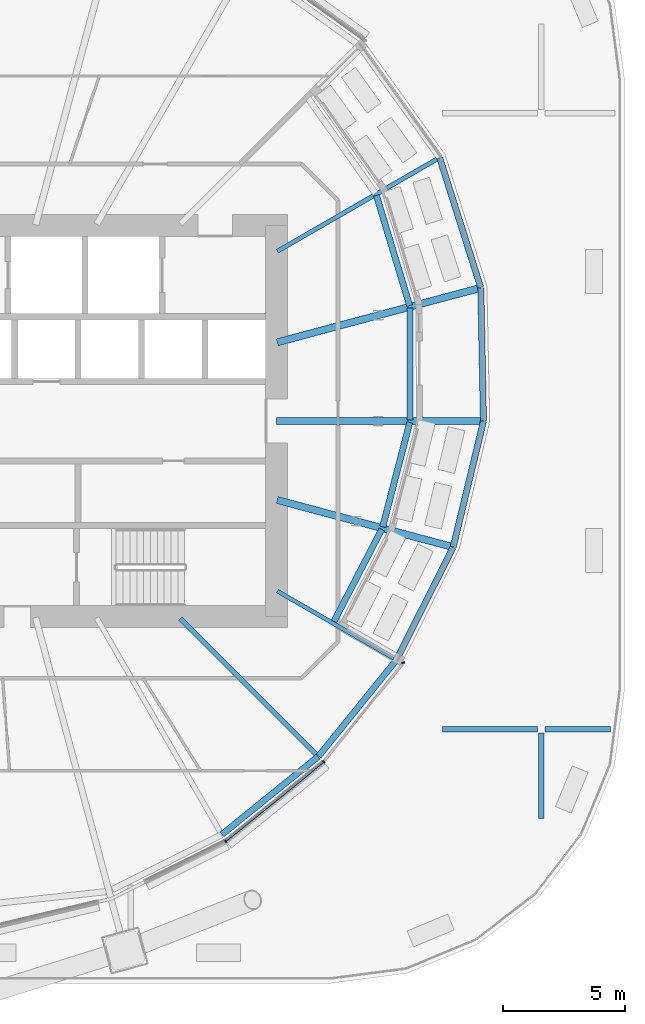
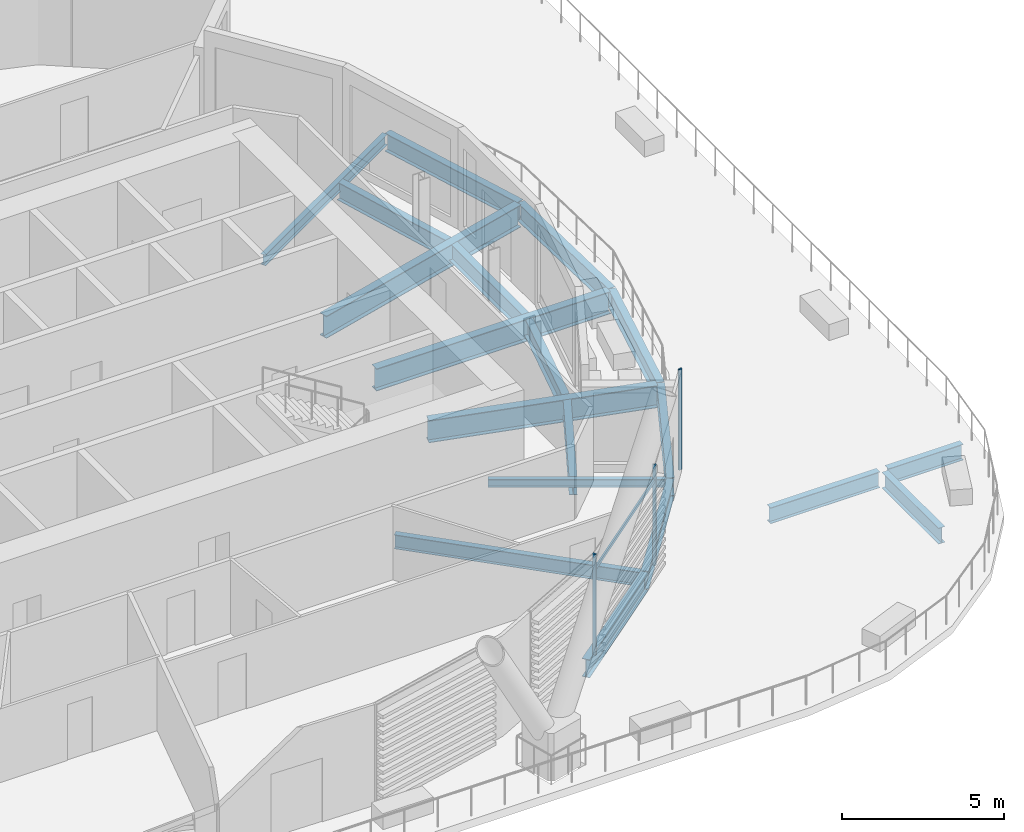
# One storey, part 17 of 47: 19 beams, 4 members, 1 element without a shape of its own.
"""IFC4 building model written with IfcOpenShell, lengths in metres."""

from ifc_helpers import new_model, si_unit, direction, frame, origin, origin_2d, place, context, subcontext, project, spatial, rectangle, i_section, extrude, material, material_profile, profile_set, type_object, element, aggregate, save


model = new_model("IFC4")

# Units and contexts
model_context = context("Model", 3, precision=1e-05, world=origin(), true_north=direction((0.0, 1.0)))
body_context = subcontext(model_context, "Body", "Model", "MODEL_VIEW")
ifc_project = project(units=[si_unit("LENGTHUNIT", "METRE"), si_unit("AREAUNIT", "SQUARE_METRE"), si_unit("VOLUMEUNIT", "CUBIC_METRE"), si_unit("PLANEANGLEUNIT", "RADIAN"), si_unit("MASSUNIT", "GRAM", prefix="KILO")], contexts=[model_context])

# Site, building, storey
site_placement = place(None, origin())
site = spatial("IfcSite", under=ifc_project, at=site_placement, CompositionType="ELEMENT")
building_placement = place(site_placement, origin())
building = spatial("IfcBuilding", under=site, at=building_placement, Name="Rimbun Link Towers", CompositionType="ELEMENT")
storey_placement = place(building_placement, frame((0.0, 0.0, 30.0)))
storey = spatial("IfcBuildingStorey", under=building, at=storey_placement, Name="L06", CompositionType="ELEMENT", Elevation=30.0)

# Curtain wall, members
ifc_material_1 = material(Name="Aluminium 6063-T6 and low-iron glass", Category="aluminium")
curtain_wall_type = type_object("IfcCurtainWallType", Name="CW1 unitised vision wall", PredefinedType="NOTDEFINED", material=ifc_material_1)
curtain_wall_placement = place(storey_placement, origin())
curtain_wall = element("IfcCurtainWall", 1, at=curtain_wall_placement, inside=storey, type_object=curtain_wall_type, Name="CW1 L06 T2", PredefinedType="NOTDEFINED")
ifc_material_2 = material(Name="Aluminium 6063-T6", Category="aluminium")
ifc_material_profile_1 = material_profile(ifc_material_2, rectangle(XDim=0.1201171875, YDim=0.06005859375, at=origin_2d()), Name="MULLION 60X120")
ifc_profile_set_1 = profile_set([ifc_material_profile_1], Name="Aluminium 6063-T6")
member_type_1 = type_object("IfcMemberType", Name="CW1 mullion 60X120", PredefinedType="MULLION", material=ifc_profile_set_1)
member_1_placement = place(storey_placement, frame((41.677001953125, -17.188232421875, 0.0), z_axis=(0.0, 0.0, 1.0), x_axis=(0.542093221733, -0.840318355715, 0.0)))
member_1 = element("IfcMember", 2, at=member_1_placement, type_object=member_type_1, Name="CW1 mullion", PredefinedType="MULLION", context=body_context, shape_type="SweptSolid", body=[
    extrude(rectangle(XDim=0.1201171875, YDim=0.06005859375, at=origin_2d()), origin(), (0.0, 0.0, 1.0), 3.800048828125),
])
member_2_placement = place(storey_placement, frame((45.68994140625, -13.93994140625, 0.0), z_axis=(0.0, 0.0, 1.0), x_axis=(0.707106781187, -0.707106781187, 0.0)))
member_2 = element("IfcMember", 3, at=member_2_placement, type_object=member_type_1, Name="CW1 mullion", PredefinedType="MULLION", context=body_context, shape_type="SweptSolid", body=[
    extrude(rectangle(XDim=0.1201171875, YDim=0.06005859375, at=origin_2d()), origin(), (0.0, 0.0, 1.0), 3.800048828125),
])
member_3_placement = place(storey_placement, frame((48.94677734375, -9.883544921875, 0.0), z_axis=(0.0, 0.0, 1.0), x_axis=(0.983234652014, 0.182344780786, 0.0)))
member_3 = element("IfcMember", 4, at=member_3_placement, type_object=member_type_1, Name="CW1 mullion", PredefinedType="MULLION", context=body_context, shape_type="SweptSolid", body=[
    extrude(rectangle(XDim=0.1201171875, YDim=0.06005859375, at=origin_2d()), origin(), (0.0, 0.0, 1.0), 3.800048828125),
])
ifc_material_3 = material(Name="Aluminium 6063-T6", Category="aluminium")
ifc_material_profile_2 = material_profile(ifc_material_3, rectangle(XDim=0.06005859375, YDim=0.1201171875, at=origin_2d()), Name="TRANSOM 60X120")
ifc_profile_set_2 = profile_set([ifc_material_profile_2], Name="Aluminium 6063-T6")
member_type_2 = type_object("IfcMemberType", Name="CW1 transom 60X120", PredefinedType="USERDEFINED", material=ifc_profile_set_2)
member_4_placement = place(storey_placement, frame((45.660888671875, -13.961669921875, 3.199951171875), z_axis=(-0.77729513126, -0.629136137032, 0.0), x_axis=(0.629136137032, -0.77729513126, 0.0)))
member_4 = element("IfcMember", 5, at=member_4_placement, type_object=member_type_2, Name="CW1 transom", ObjectType="TRANSOM", PredefinedType="USERDEFINED", context=body_context, shape_type="SweptSolid", body=[
    extrude(rectangle(XDim=0.06005859375, YDim=0.1201171875, at=origin_2d()), origin(), (0.0, 0.0, 1.0), 5.090087890625),
])
aggregate(curtain_wall, [member_1, member_2, member_3, member_4])

# Beams
ifc_material_4 = material(Name="Steel S355J2", Category="steel")
ifc_material_profile_3 = material_profile(ifc_material_4, i_section(OverallWidth=0.1650390625, OverallDepth=0.303466796875, WebThickness=0.006103515625, FlangeThickness=0.01025390625, at=origin_2d()), Name="UB 305x165x40")
ifc_profile_set_3 = profile_set([ifc_material_profile_3], Name="Steel S355J2")
beam_type_1 = type_object("IfcBeamType", Name="UB 305x165x40", PredefinedType="BEAM", material=ifc_profile_set_3)
beam_1_placement = place(storey_placement, frame((43.7919921875, -6.952392578125, -0.45166015625), z_axis=(0.86600383438, -0.500037357444, 0.0), x_axis=(0.500037357444, 0.86600383438, 0.0)))
element("IfcBeam", 6, at=beam_1_placement, inside=storey, type_object=beam_type_1, Name="Radial beam T2 L06 19", PredefinedType="BEAM", context=body_context, shape_type="SweptSolid", body=[
    extrude(i_section(OverallWidth=0.1650390625, OverallDepth=0.303466796875, WebThickness=0.006103515625, FlangeThickness=0.01025390625, at=origin_2d()), origin(), (0.0, 0.0, 1.0), 5.5029296875),
])
ifc_material_5 = material(Name="Steel S355J2", Category="steel")
ifc_material_profile_4 = material_profile(ifc_material_5, i_section(OverallWidth=0.177978515625, OverallDepth=0.406494140625, WebThickness=0.0078125, FlangeThickness=0.0126953125, at=origin_2d()), Name="UB 406x178x60")
ifc_profile_set_4 = profile_set([ifc_material_profile_4], Name="Steel S355J2")
beam_type_2 = type_object("IfcBeamType", Name="UB 406x178x60", PredefinedType="BEAM", material=ifc_profile_set_4)
beam_2_placement = place(storey_placement, frame((43.79541015625, 6.954345703125, -0.503173828125), z_axis=(0.866023167905, 0.500003872636, 0.0), x_axis=(-0.500003872636, 0.866023167905, 0.0)))
element("IfcBeam", 7, at=beam_2_placement, inside=storey, type_object=beam_type_2, Name="Radial beam T2 L06 23", PredefinedType="BEAM", context=body_context, shape_type="SweptSolid", body=[
    extrude(i_section(OverallWidth=0.177978515625, OverallDepth=0.406494140625, WebThickness=0.0078125, FlangeThickness=0.0126953125, at=origin_2d()), origin(), (0.0, 0.0, 1.0), 7.53466796875),
])
ifc_material_6 = material(Name="Steel S355J2", Category="steel")
ifc_material_profile_5 = material_profile(ifc_material_6, i_section(OverallWidth=0.209228515625, OverallDepth=0.533203125, WebThickness=0.010009765625, FlangeThickness=0.015625, at=origin_2d()), Name="UB 533x210x92")
ifc_profile_set_5 = profile_set([ifc_material_profile_5], Name="Steel S355J2")
beam_type_3 = type_object("IfcBeamType", Name="UB 533x210x92", PredefinedType="BEAM", material=ifc_profile_set_5)
beam_3_placement = place(storey_placement, frame((39.82470703125, -8.07470703125, -0.56640625), z_axis=(0.707106781187, -0.707106781187, 0.0), x_axis=(0.707106781187, 0.707106781187, 0.0)))
element("IfcBeam", 8, at=beam_3_placement, inside=storey, type_object=beam_type_3, Name="Radial beam T2 L06 18", PredefinedType="BEAM", context=body_context, shape_type="SweptSolid", body=[
    extrude(i_section(OverallWidth=0.209228515625, OverallDepth=0.533203125, WebThickness=0.010009765625, FlangeThickness=0.015625, at=origin_2d()), origin(), (0.0, 0.0, 1.0), 7.85546875),
])
ifc_material_7 = material(Name="Steel S355J2", Category="steel")
ifc_material_profile_6 = material_profile(ifc_material_7, i_section(OverallWidth=0.2275390625, OverallDepth=0.6025390625, WebThickness=0.010498046875, FlangeThickness=0.014892578125, at=origin_2d()), Name="UB 610x229x101")
ifc_profile_set_6 = profile_set([ifc_material_profile_6], Name="Steel S355J2")
beam_type_4 = type_object("IfcBeamType", Name="UB 610x229x101", PredefinedType="BEAM", material=ifc_profile_set_6)
beam_4_placement = place(storey_placement, frame((50.54638671875, -12.60009765625, -0.601318359375), z_axis=(1.0, 0.0, 0.0), x_axis=(0.0, 1.0, 0.0)))
element("IfcBeam", 9, at=beam_4_placement, inside=storey, type_object=beam_type_4, Name="Grid beam L06 -12.6", PredefinedType="BEAM", context=body_context, shape_type="SweptSolid", body=[
    extrude(i_section(OverallWidth=0.2275390625, OverallDepth=0.6025390625, WebThickness=0.010498046875, FlangeThickness=0.014892578125, at=origin_2d()), origin(), (0.0, 0.0, 1.0), 3.89990234375),
])
beam_5_placement = place(storey_placement, frame((54.753662109375, -12.60009765625, -0.601318359375), z_axis=(1.0, 0.0, 0.0), x_axis=(0.0, 1.0, 0.0)))
element("IfcBeam", 10, at=beam_5_placement, inside=storey, type_object=beam_type_4, Name="Grid beam L06 -12.6", PredefinedType="BEAM", context=body_context, shape_type="SweptSolid", body=[
    extrude(i_section(OverallWidth=0.2275390625, OverallDepth=0.6025390625, WebThickness=0.010498046875, FlangeThickness=0.014892578125, at=origin_2d()), origin(), (0.0, 0.0, 1.0), 2.666748046875),
])
beam_6_placement = place(storey_placement, frame((54.60009765625, -16.257080078125, -0.601318359375), z_axis=(0.0, 1.0, 0.0), x_axis=(-1.0, 0.0, 0.0)))
element("IfcBeam", 11, at=beam_6_placement, inside=storey, type_object=beam_type_4, Name="Grid beam L06 +54.6", PredefinedType="BEAM", context=body_context, shape_type="SweptSolid", body=[
    extrude(i_section(OverallWidth=0.2275390625, OverallDepth=0.6025390625, WebThickness=0.010498046875, FlangeThickness=0.014892578125, at=origin_2d()), origin(), (0.0, 0.0, 1.0), 3.5),
])
ifc_material_8 = material(Name="Steel S355J2", Category="steel")
ifc_material_profile_7 = material_profile(ifc_material_8, i_section(OverallWidth=0.253662109375, OverallDepth=0.68359375, WebThickness=0.012451171875, FlangeThickness=0.01904296875, at=origin_2d()), Name="UB 686x254x140")
ifc_profile_set_7 = profile_set([ifc_material_profile_7], Name="Steel S355J2")
beam_type_5 = type_object("IfcBeamType", Name="UB 686x254x140", PredefinedType="BEAM", material=ifc_profile_set_7)
for number, where, z_axis, x_axis, name in (
    (12, (41.529296875, -16.909423828125, -0.641845703125), (0.777298851758, 0.629131540345, 0.0), (-0.629131540345, 0.777298851758, 0.0), "Edge beam T2 L06 17"),
    (13, (45.47900390625, -13.708740234375, -0.641845703125), (0.629131540345, 0.777298851758, 0.0), (-0.777298851758, 0.629131540345, 0.0), "Edge beam T2 L06 18"),
):
    element("IfcBeam", number, at=place(storey_placement, frame(where, z_axis=z_axis, x_axis=x_axis)), inside=storey, type_object=beam_type_5, Name=name, PredefinedType="BEAM", context=body_context, shape_type="SweptSolid", body=[
        extrude(i_section(OverallWidth=0.253662109375, OverallDepth=0.68359375, WebThickness=0.012451171875, FlangeThickness=0.01904296875, at=origin_2d()), origin(), (0.0, 0.0, 1.0), 5.05517578125),
    ])
beam_7_placement = place(storey_placement, frame((46.098876953125, -8.212890625, -0.641845703125), z_axis=(0.460797046686, 0.887505539005, 0.0), x_axis=(-0.887505539005, 0.460797046686, 0.0)))
element("IfcBeam", 14, at=beam_7_placement, inside=storey, type_object=beam_type_5, Name="Edge beam T2 L06 19 recess", PredefinedType="BEAM", context=body_context, shape_type="SweptSolid", body=[
    extrude(i_section(OverallWidth=0.253662109375, OverallDepth=0.68359375, WebThickness=0.012451171875, FlangeThickness=0.01904296875, at=origin_2d()), origin(), (0.0, 0.0, 1.0), 4.261474609375),
])
beam_8_placement = place(storey_placement, frame((48.67529296875, -9.7548828125, -0.641845703125), z_axis=(0.449229114611, 0.893416589608, 0.0), x_axis=(-0.893416589608, 0.449229114611, 0.0)))
element("IfcBeam", 15, at=beam_8_placement, inside=storey, type_object=beam_type_5, Name="Edge beam T2 L06 19 terrace", PredefinedType="BEAM", context=body_context, shape_type="SweptSolid", body=[
    extrude(i_section(OverallWidth=0.253662109375, OverallDepth=0.68359375, WebThickness=0.012451171875, FlangeThickness=0.01904296875, at=origin_2d()), origin(), (0.0, 0.0, 1.0), 5.133056640625),
])
beam_9_placement = place(storey_placement, frame((48.104736328125, -4.32080078125, -0.641845703125), z_axis=(0.251023670146, 0.96798094869, 0.0), x_axis=(-0.96798094869, 0.251023670146, 0.0)))
element("IfcBeam", 16, at=beam_9_placement, inside=storey, type_object=beam_type_5, Name="Edge beam T2 L06 20 recess", PredefinedType="BEAM", context=body_context, shape_type="SweptSolid", body=[
    extrude(i_section(OverallWidth=0.253662109375, OverallDepth=0.68359375, WebThickness=0.012451171875, FlangeThickness=0.01904296875, at=origin_2d()), origin(), (0.0, 0.0, 1.0), 4.40771484375),
])
beam_10_placement = place(storey_placement, frame((50.991943359375, -5.1396484375, -0.641845703125), z_axis=(0.233551717136, 0.972344381083, 0.0), x_axis=(-0.972344381083, 0.233551717136, 0.0)))
element("IfcBeam", 17, at=beam_10_placement, inside=storey, type_object=beam_type_5, Name="Edge beam T2 L06 20 terrace", PredefinedType="BEAM", context=body_context, shape_type="SweptSolid", body=[
    extrude(i_section(OverallWidth=0.253662109375, OverallDepth=0.68359375, WebThickness=0.012451171875, FlangeThickness=0.01904296875, at=origin_2d()), origin(), (0.0, 0.0, 1.0), 5.2685546875),
])
beam_11_placement = place(storey_placement, frame((49.22509765625, 0.055908203125, -0.641845703125), z_axis=(-0.001227910024, 0.999999246118, 0.0), x_axis=(-0.999999246118, -0.001227910024, 0.0)))
element("IfcBeam", 18, at=beam_11_placement, inside=storey, type_object=beam_type_5, Name="Edge beam T2 L06 21 recess", PredefinedType="BEAM", context=body_context, shape_type="SweptSolid", body=[
    extrude(i_section(OverallWidth=0.253662109375, OverallDepth=0.68359375, WebThickness=0.012451171875, FlangeThickness=0.01904296875, at=origin_2d()), origin(), (0.0, 0.0, 1.0), 4.572998046875),
])
beam_12_placement = place(storey_placement, frame((52.22607421875, 0.017333984375, -0.641845703125), z_axis=(-0.019766459362, 0.999804624456, 0.0), x_axis=(-0.999804624456, -0.019766459362, 0.0)))
element("IfcBeam", 19, at=beam_12_placement, inside=storey, type_object=beam_type_5, Name="Edge beam T2 L06 21 terrace", PredefinedType="BEAM", context=body_context, shape_type="SweptSolid", body=[
    extrude(i_section(OverallWidth=0.253662109375, OverallDepth=0.68359375, WebThickness=0.012451171875, FlangeThickness=0.01904296875, at=origin_2d()), origin(), (0.0, 0.0, 1.0), 5.422119140625),
])
beam_13_placement = place(storey_placement, frame((49.20458984375, 4.73095703125, -0.641845703125), z_axis=(-0.288427851832, 0.95750163148, 0.0), x_axis=(-0.95750163148, -0.288427851832, 0.0)))
element("IfcBeam", 20, at=beam_13_placement, inside=storey, type_object=beam_type_5, Name="Edge beam T2 L06 22 recess", PredefinedType="BEAM", context=body_context, shape_type="SweptSolid", body=[
    extrude(i_section(OverallWidth=0.253662109375, OverallDepth=0.68359375, WebThickness=0.012451171875, FlangeThickness=0.01904296875, at=origin_2d()), origin(), (0.0, 0.0, 1.0), 4.70703125),
])
beam_14_placement = place(storey_placement, frame((52.112548828125, 5.47607421875, -0.641845703125), z_axis=(-0.301855711694, 0.953353622386, 0.0), x_axis=(-0.953353622386, -0.301855711694, 0.0)))
element("IfcBeam", 21, at=beam_14_placement, inside=storey, type_object=beam_type_5, Name="Edge beam T2 L06 22 terrace", PredefinedType="BEAM", context=body_context, shape_type="SweptSolid", body=[
    extrude(i_section(OverallWidth=0.253662109375, OverallDepth=0.68359375, WebThickness=0.012451171875, FlangeThickness=0.01904296875, at=origin_2d()), origin(), (0.0, 0.0, 1.0), 5.54833984375),
])
ifc_material_9 = material(Name="Steel S355J2", Category="steel")
ifc_material_profile_8 = material_profile(ifc_material_9, i_section(OverallWidth=0.29248046875, OverallDepth=0.8408203125, WebThickness=0.0126953125, FlangeThickness=0.021728515625, at=origin_2d()), Name="UB 838x292x194")
ifc_profile_set_8 = profile_set([ifc_material_profile_8], Name="Steel S355J2")
beam_type_6 = type_object("IfcBeamType", Name="UB 838x292x194", PredefinedType="BEAM", material=ifc_profile_set_8)
beam_15_placement = place(storey_placement, frame((43.788818359375, -3.225830078125, -0.72021484375), z_axis=(0.965929455353, -0.258805500873, 0.0), x_axis=(0.258805500873, 0.965929455353, 0.0)))
element("IfcBeam", 22, at=beam_15_placement, inside=storey, type_object=beam_type_6, Name="Radial beam T2 L06 20", PredefinedType="BEAM", context=body_context, shape_type="SweptSolid", body=[
    extrude(i_section(OverallWidth=0.29248046875, OverallDepth=0.8408203125, WebThickness=0.0126953125, FlangeThickness=0.021728515625, at=origin_2d()), origin(), (0.0, 0.0, 1.0), 7.324951171875),
])
beam_16_placement = place(storey_placement, frame((43.7509765625, 0.0, -0.72021484375), z_axis=(1.0, 0.0, 0.0), x_axis=(0.0, 1.0, 0.0)))
element("IfcBeam", 23, at=beam_16_placement, inside=storey, type_object=beam_type_6, Name="Radial beam T2 L06 21", PredefinedType="BEAM", context=body_context, shape_type="SweptSolid", body=[
    extrude(i_section(OverallWidth=0.29248046875, OverallDepth=0.8408203125, WebThickness=0.0126953125, FlangeThickness=0.021728515625, at=origin_2d()), origin(), (0.0, 0.0, 1.0), 8.346923828125),
])
beam_17_placement = place(storey_placement, frame((43.788818359375, 3.225830078125, -0.72021484375), z_axis=(0.965924190705, 0.258825149107, 0.0), x_axis=(-0.258825149107, 0.965924190705, 0.0)))
element("IfcBeam", 24, at=beam_17_placement, inside=storey, type_object=beam_type_6, Name="Radial beam T2 L06 22", PredefinedType="BEAM", context=body_context, shape_type="SweptSolid", body=[
    extrude(i_section(OverallWidth=0.29248046875, OverallDepth=0.8408203125, WebThickness=0.0126953125, FlangeThickness=0.021728515625, at=origin_2d()), origin(), (0.0, 0.0, 1.0), 8.4951171875),
])

save(model, "model.ifc")
